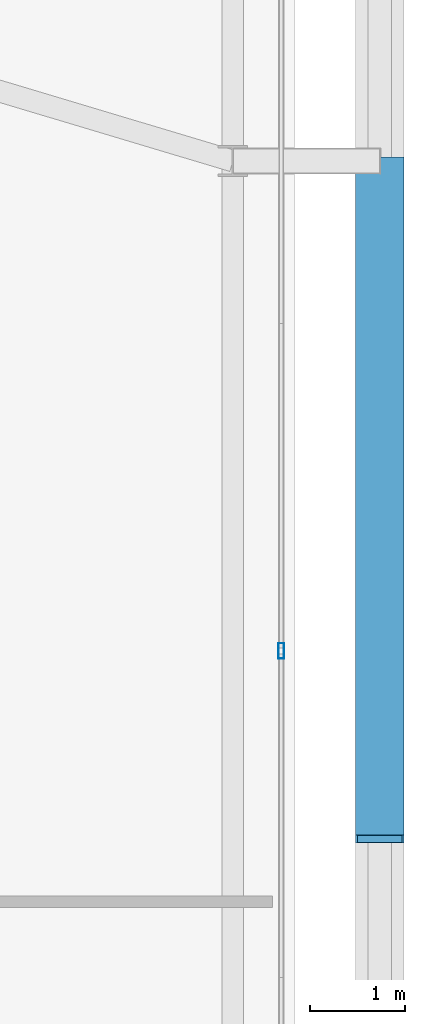
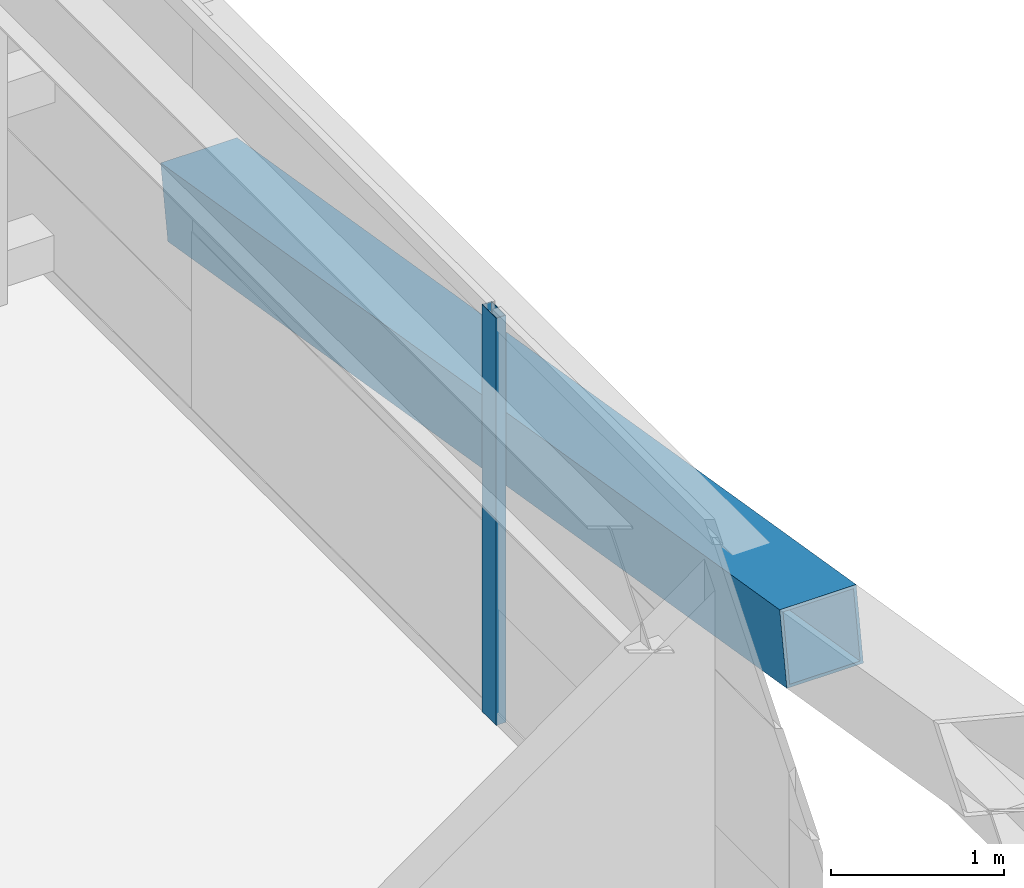
# One storey, part 17 of 45: 2 members, 1 element without a shape of its own.
"""IFC4 building model written with IfcOpenShell, lengths in metres."""

from ifc_helpers import new_model, si_unit, direction, frame, origin, origin_2d, place, context, subcontext, project, spatial, hollow_rectangle, extrude, source, transform, mapped, material, layer, layer_set, material_profile, profile_set, type_object, element, aggregate, save


model = new_model("IFC4")

# Units and contexts
model_context = context("Model", 3, precision=1e-05, world=origin(), true_north=direction((0.0, 1.0)))
body_context = subcontext(model_context, "Body", "Model", "MODEL_VIEW")
ifc_project = project(units=[si_unit("LENGTHUNIT", "METRE"), si_unit("AREAUNIT", "SQUARE_METRE"), si_unit("VOLUMEUNIT", "CUBIC_METRE"), si_unit("PLANEANGLEUNIT", "RADIAN"), si_unit("MASSUNIT", "GRAM", prefix="KILO")], contexts=[model_context])

# Site, building, storey
site_placement = place(None, origin())
site = spatial("IfcSite", under=ifc_project, at=site_placement, CompositionType="ELEMENT")
building_placement = place(site_placement, origin())
building = spatial("IfcBuilding", under=site, at=building_placement, Name="Taldren Reach Tower", CompositionType="ELEMENT")
storey_placement = place(building_placement, frame((0.0, 0.0, 57.75)))
storey = spatial("IfcBuildingStorey", under=building, at=storey_placement, Name="L17", CompositionType="ELEMENT", Elevation=57.75)

# Member
ifc_material_1 = material(Name="Steel Gr 450 (C450L0)", Category="steel")
ifc_material_profile_1 = material_profile(ifc_material_1, hollow_rectangle(XDim=0.510009765625, YDim=0.510009765625, WallThickness=0.02001953125, at=origin_2d()), Name="510x510x20.0SHS")
ifc_profile_set_1 = profile_set([ifc_material_profile_1], Name="Steel Gr 450 (C450L0)")
member_type_1 = type_object("IfcMemberType", Name="MB-EXO508", PredefinedType="BRACE", material=ifc_profile_set_1)
shared_shape_1 = source(origin(), body_context, "Body", "SweptSolid", [
    extrude(hollow_rectangle(XDim=0.510009765625, YDim=0.510009765625, WallThickness=0.02001953125, at=origin_2d()), origin(), (0.0, 0.0, 1.0), 7.24755859375),
])
member_1_placement = place(storey_placement, frame((65.89990234375, 20.0, 0.219970703125), z_axis=(0.0, -0.986541018832, 0.163513969317), x_axis=(1.0, 0.0, 0.0)))
element("IfcMember", 1, at=member_1_placement, inside=storey, type_object=member_type_1, Name="Exoskeleton Diagrid Brace B1-E1 L17", PredefinedType="BRACE", context=body_context, shape_type="MappedRepresentation", body=[
    mapped(shared_shape_1, transform((0.0, 0.0, 0.0), scale=1.0)),
])

# Curtain wall, member
ifc_material_2 = material(Name="Aluminium and Low-E Glass Unitised System", Category="aluminium")
ifc_layer = layer(ifc_material_2, 0.159912109375)
ifc_layer_set = layer_set([ifc_layer], Name="Aluminium and Low-E Glass Unitised System")
curtain_wall_type = type_object("IfcCurtainWallType", Name="CW-SYS-2", PredefinedType="NOTDEFINED", material=ifc_layer_set)
curtain_wall_placement = place(storey_placement, origin())
curtain_wall = element("IfcCurtainWall", 2, at=curtain_wall_placement, inside=storey, type_object=curtain_wall_type, Name="Unitised curtain wall CW-L17-E", PredefinedType="NOTDEFINED")
ifc_material_3 = material(Name="Anodised Aluminium 6063-T6", Category="aluminium")
ifc_material_profile_2 = material_profile(ifc_material_3, hollow_rectangle(XDim=0.06494140625, YDim=0.1650390625, WallThickness=0.00390625, at=origin_2d()), Name="ALU-165x65x4RHS")
ifc_profile_set_2 = profile_set([ifc_material_profile_2], Name="Anodised Aluminium 6063-T6")
member_type_2 = type_object("IfcMemberType", Name="CW-MUL-165", PredefinedType="MULLION", material=ifc_profile_set_2)
shared_shape_2 = source(origin(), body_context, "Body", "SweptSolid", [
    extrude(hollow_rectangle(XDim=0.06494140625, YDim=0.1650390625, WallThickness=0.00390625, at=origin_2d()), origin(), (0.0, 0.0, 1.0), 2.8701171875),
])
member_2_placement = place(storey_placement, frame((64.860107421875, 14.833251953125, 0.0), z_axis=(0.0, 0.0, 1.0), x_axis=(-1.0, 0.0, 0.0)))
member_2 = element("IfcMember", 3, at=member_2_placement, type_object=member_type_2, Name="CW-2 mullion 2", PredefinedType="MULLION", context=body_context, shape_type="MappedRepresentation", body=[
    mapped(shared_shape_2, transform((0.0, 0.0, 0.0), scale=1.0)),
])
aggregate(curtain_wall, [member_2])

save(model, "model.ifc")
